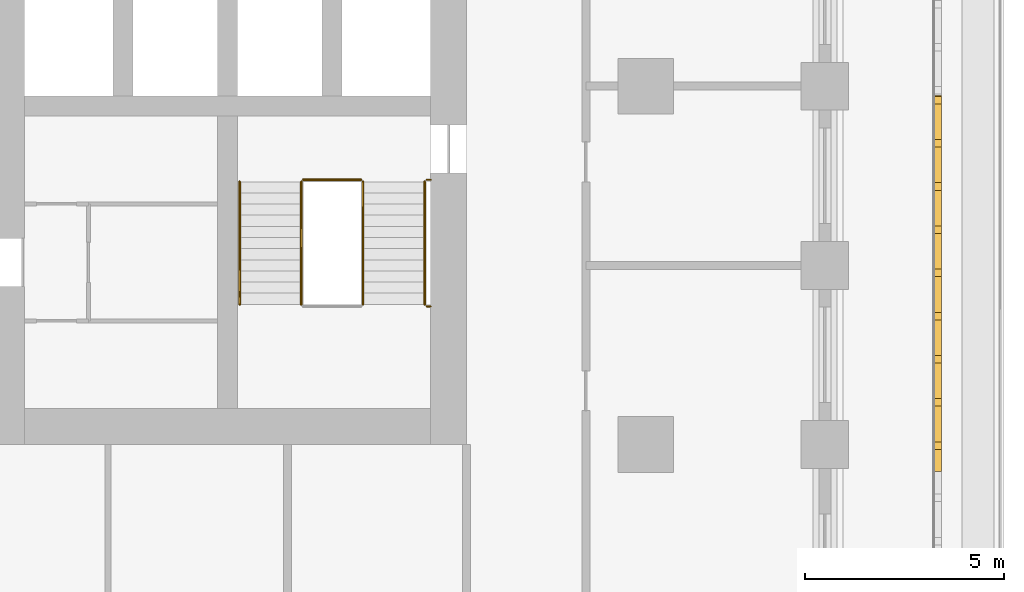
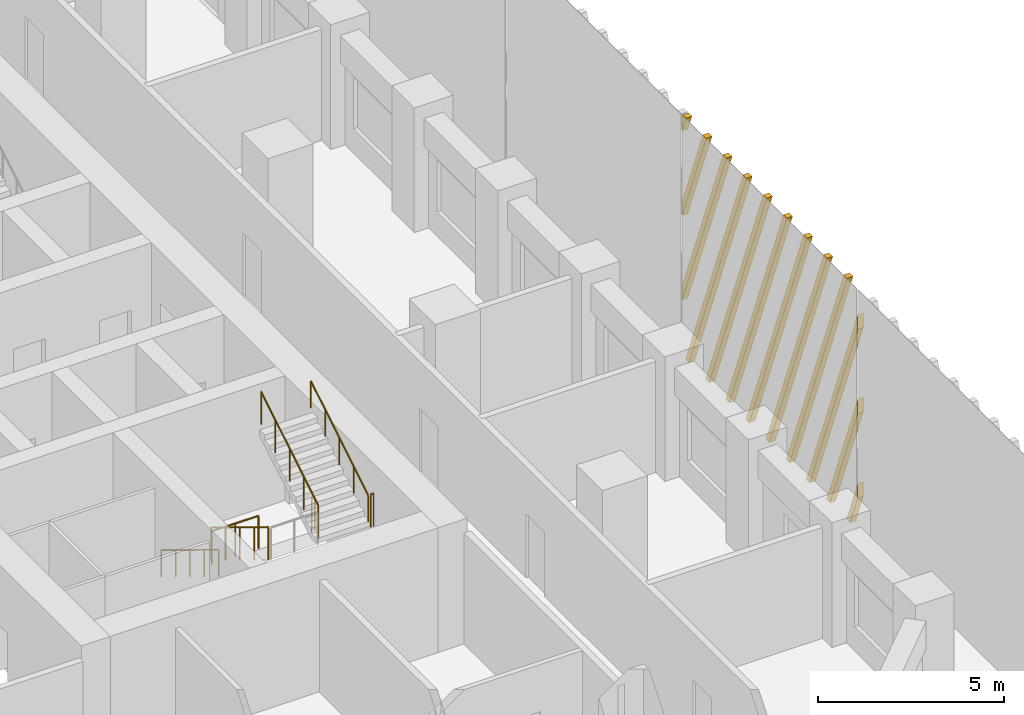
# One storey, part 13 of 19: 7 railings, 1 shading device.
"""IFC4 building model written with IfcOpenShell, lengths in metres."""

from ifc_helpers import new_model, si_unit, direction, frame, origin, origin_2d, place, context, subcontext, project, spatial, polyline, circle, outline, extrude, source, transform, mapped, material, type_object, element, save


model = new_model("IFC4")

# Units and contexts
model_context = context("Model", 3, precision=1e-05, world=origin(), true_north=direction((0.0, 1.0)))
body_context = subcontext(model_context, "Body", "Model", "MODEL_VIEW")
ifc_project = project(units=[si_unit("LENGTHUNIT", "METRE"), si_unit("AREAUNIT", "SQUARE_METRE"), si_unit("VOLUMEUNIT", "CUBIC_METRE"), si_unit("PLANEANGLEUNIT", "RADIAN"), si_unit("MASSUNIT", "GRAM", prefix="KILO")], contexts=[model_context])

# Site, building, storey
site_placement = place(None, origin())
site = spatial("IfcSite", under=ifc_project, at=site_placement, CompositionType="ELEMENT")
building_placement = place(site_placement, origin())
building = spatial("IfcBuilding", under=site, at=building_placement, Name="Corbel Stack Research Tower", CompositionType="ELEMENT")
storey_placement = place(building_placement, frame((0.0, 0.0, 116.699951171875)))
storey = spatial("IfcBuildingStorey", under=building, at=storey_placement, Name="L26", CompositionType="ELEMENT", Elevation=116.699951171875)

# Railings
ifc_material_1 = material(Name="Steel S355", Category="steel")
railing_type_1 = type_object("IfcRailingType", Name="Stair guard 1100", PredefinedType="GUARDRAIL", material=ifc_material_1)
railing_1_placement = place(storey_placement, frame((13.85009765625, -2.39990234375, 0.1708984375)))
element("IfcRailing", 1, at=railing_1_placement, inside=storey, type_object=railing_type_1, Name="L26 ST-E1 stair guard 1", PredefinedType="GUARDRAIL", context=body_context, shape_type="SweptSolid", body=[
    extrude(circle(Radius=0.02392578125, at=origin_2d()), frame((0.0, 0.0, 1.076171875), z_axis=(0.0, -0.853666305674, 0.52082035152), x_axis=(1.0, 0.0, 0.0)), (0.0, 0.0, 1.0), 3.608154296875),
    extrude(circle(Radius=0.02099609375, at=origin_2d()), origin(), (0.0, 0.0, 1.0), 1.052001953125),
    extrude(circle(Radius=0.02099609375, at=origin_2d()), frame((0.0, -0.77001953125, 0.4697265625)), (0.0, 0.0, 1.0), 1.052001953125),
    extrude(circle(Radius=0.02099609375, at=origin_2d()), frame((0.0, -1.5400390625, 0.939453125)), (0.0, 0.0, 1.0), 1.052001953125),
    extrude(circle(Radius=0.02099609375, at=origin_2d()), frame((0.0, -2.31005859375, 1.409423828125)), (0.0, 0.0, 1.0), 1.052001953125),
    extrude(circle(Radius=0.02099609375, at=origin_2d()), frame((0.0, -3.080078125, 1.879150390625)), (0.0, 0.0, 1.0), 1.052001953125),
])
railing_2_placement = place(storey_placement, frame((17.0, -5.530029296875, 2.050048828125)))
element("IfcRailing", 2, at=railing_2_placement, inside=storey, type_object=railing_type_1, Name="L26 ST-E1 stair guard 3", PredefinedType="GUARDRAIL", context=body_context, shape_type="SweptSolid", body=[
    extrude(circle(Radius=0.02392578125, at=origin_2d()), frame((0.0, 0.0, 1.076171875), z_axis=(1.0, 0.0, 0.0), x_axis=(0.0, 1.0, 0.0)), (0.0, 0.0, 1.0), 0.10009765625),
    extrude(circle(Radius=0.02099609375, at=origin_2d()), origin(), (0.0, 0.0, 1.0), 1.052001953125),
    extrude(circle(Radius=0.02099609375, at=origin_2d()), frame((0.10009765625, 0.0, 0.0)), (0.0, 0.0, 1.0), 1.052001953125),
])
railing_3_placement = place(storey_placement, frame((15.39990234375, -5.47998046875, 2.220947265625)))
element("IfcRailing", 3, at=railing_3_placement, inside=storey, type_object=railing_type_1, Name="L26 ST-E1 stair guard 4", PredefinedType="GUARDRAIL", context=body_context, shape_type="SweptSolid", body=[
    extrude(circle(Radius=0.02392578125, at=origin_2d()), frame((0.0, 0.0, 1.076171875), z_axis=(0.0, 0.853666305674, 0.52082035152), x_axis=(-1.0, 0.0, 0.0)), (0.0, 0.0, 1.0), 3.608154296875),
    extrude(circle(Radius=0.02099609375, at=origin_2d()), origin(), (0.0, 0.0, 1.0), 1.052001953125),
    extrude(circle(Radius=0.02099609375, at=origin_2d()), frame((0.0, 0.77001953125, 0.4697265625)), (0.0, 0.0, 1.0), 1.052001953125),
    extrude(circle(Radius=0.02099609375, at=origin_2d()), frame((0.0, 1.5400390625, 0.939453125)), (0.0, 0.0, 1.0), 1.052001953125),
    extrude(circle(Radius=0.02099609375, at=origin_2d()), frame((0.0, 2.31005859375, 1.409423828125)), (0.0, 0.0, 1.0), 1.052001953125),
    extrude(circle(Radius=0.02099609375, at=origin_2d()), frame((0.0, 3.080078125, 1.879150390625)), (0.0, 0.0, 1.0), 1.052001953125),
])
railing_4_placement = place(storey_placement, frame((13.89990234375, -2.35009765625, 0.0)))
element("IfcRailing", 4, at=railing_4_placement, inside=storey, type_object=railing_type_1, Name="L26 ST-E1 stair guard 5", PredefinedType="GUARDRAIL", context=body_context, shape_type="SweptSolid", body=[
    extrude(circle(Radius=0.02392578125, at=origin_2d()), frame((0.0, 0.0, 1.076171875), z_axis=(1.0, 0.0, 0.0), x_axis=(0.0, 1.0, 0.0)), (0.0, 0.0, 1.0), 1.4501953125),
    extrude(circle(Radius=0.02099609375, at=origin_2d()), origin(), (0.0, 0.0, 1.0), 1.052001953125),
    extrude(circle(Radius=0.02099609375, at=origin_2d()), frame((0.72509765625, 0.0, 0.0)), (0.0, 0.0, 1.0), 1.052001953125),
    extrude(circle(Radius=0.02099609375, at=origin_2d()), frame((1.4501953125, 0.0, 0.0)), (0.0, 0.0, 1.0), 1.052001953125),
])
railing_5_placement = place(storey_placement, frame((17.0, -2.35009765625, 0.0)))
element("IfcRailing", 5, at=railing_5_placement, inside=storey, type_object=railing_type_1, Name="L26 ST-E1 stair guard 6", PredefinedType="GUARDRAIL", context=body_context, shape_type="SweptSolid", body=[
    extrude(circle(Radius=0.02392578125, at=origin_2d()), frame((0.0, 0.0, 1.076171875), z_axis=(1.0, 0.0, 0.0), x_axis=(0.0, 1.0, 0.0)), (0.0, 0.0, 1.0), 0.10009765625),
    extrude(circle(Radius=0.02099609375, at=origin_2d()), origin(), (0.0, 0.0, 1.0), 1.052001953125),
    extrude(circle(Radius=0.02099609375, at=origin_2d()), frame((0.10009765625, 0.0, 0.0)), (0.0, 0.0, 1.0), 1.052001953125),
])
ifc_material_2 = material(Name="Steel S355", Category="steel")
railing_type_2 = type_object("IfcRailingType", Name="Stair handrail 900", PredefinedType="HANDRAIL", material=ifc_material_2)
railing_6_placement = place(storey_placement, frame((12.300048828125, -2.39990234375, 0.1708984375)))
element("IfcRailing", 6, at=railing_6_placement, inside=storey, type_object=railing_type_2, Name="L26 ST-E1 stair handrail 1", PredefinedType="HANDRAIL", context=body_context, shape_type="SweptSolid", body=[
    extrude(circle(Radius=0.02392578125, at=origin_2d()), frame((0.0, 0.0, 0.8759765625), z_axis=(0.0, -0.853666305674, 0.52082035152), x_axis=(1.0, 0.0, 0.0)), (0.0, 0.0, 1.0), 3.608154296875),
    extrude(circle(Radius=0.02099609375, at=origin_2d()), origin(), (0.0, 0.0, 1.0), 0.851806640625),
    extrude(circle(Radius=0.02099609375, at=origin_2d()), frame((0.0, -0.77001953125, 0.4697265625)), (0.0, 0.0, 1.0), 0.851806640625),
    extrude(circle(Radius=0.02099609375, at=origin_2d()), frame((0.0, -1.5400390625, 0.939453125)), (0.0, 0.0, 1.0), 0.851806640625),
    extrude(circle(Radius=0.02099609375, at=origin_2d()), frame((0.0, -2.31005859375, 1.409423828125)), (0.0, 0.0, 1.0), 0.851806640625),
    extrude(circle(Radius=0.02099609375, at=origin_2d()), frame((0.0, -3.080078125, 1.879150390625)), (0.0, 0.0, 1.0), 0.851806640625),
])
railing_7_placement = place(storey_placement, frame((16.949951171875, -5.47998046875, 2.220947265625)))
element("IfcRailing", 7, at=railing_7_placement, inside=storey, type_object=railing_type_2, Name="L26 ST-E1 stair handrail 2", PredefinedType="HANDRAIL", context=body_context, shape_type="SweptSolid", body=[
    extrude(circle(Radius=0.02392578125, at=origin_2d()), frame((0.0, 0.0, 0.8759765625), z_axis=(0.0, 0.853666305674, 0.52082035152), x_axis=(-1.0, 0.0, 0.0)), (0.0, 0.0, 1.0), 3.608154296875),
    extrude(circle(Radius=0.02099609375, at=origin_2d()), origin(), (0.0, 0.0, 1.0), 0.851806640625),
    extrude(circle(Radius=0.02099609375, at=origin_2d()), frame((0.0, 0.77001953125, 0.4697265625)), (0.0, 0.0, 1.0), 0.851806640625),
    extrude(circle(Radius=0.02099609375, at=origin_2d()), frame((0.0, 1.5400390625, 0.939453125)), (0.0, 0.0, 1.0), 0.851806640625),
    extrude(circle(Radius=0.02099609375, at=origin_2d()), frame((0.0, 2.31005859375, 1.409423828125)), (0.0, 0.0, 1.0), 0.851806640625),
    extrude(circle(Radius=0.02099609375, at=origin_2d()), frame((0.0, 3.080078125, 1.879150390625)), (0.0, 0.0, 1.0), 0.851806640625),
])

# Shading device
ifc_material_3 = material(Name="Precast terracotta", Category="masonry")
shading_device_type = type_object("IfcShadingDeviceType", Name="Terracotta screen panel", PredefinedType="USERDEFINED", material=ifc_material_3)
shared_shape = source(origin(), body_context, "Body", "SweptSolid", [
    extrude(outline(polyline([(0.60205078125, 0.0), (0.0, 1.541748046875), (0.0, 1.055419921875), (0.412109375, 0.0), (0.60205078125, 0.0)])), frame((0.0, 0.0, 0.0), z_axis=(0.0, -1.0, 0.0), x_axis=(1.0, 0.0, 0.0)), (0.0, 0.0, 1.0), 0.179931640625),
    extrude(outline(polyline([(1.686767578125, 0.0), (0.0, 4.319091796875), (0.0, 3.83251953125), (1.496826171875, 0.0), (1.686767578125, 0.0)])), frame((0.0, 0.0, 0.0), z_axis=(0.0, -1.0, 0.0), x_axis=(1.0, 0.0, 0.0)), (0.0, 0.0, 1.0), 0.179931640625),
    extrude(outline(polyline([(2.771484375, 0.0), (0.0, 7.096435546875), (0.0, 6.60986328125), (2.58154296875, 0.0), (2.771484375, 0.0)])), frame((0.0, 0.0, 0.0), z_axis=(0.0, -1.0, 0.0), x_axis=(1.0, 0.0, 0.0)), (0.0, 0.0, 1.0), 0.179931640625),
    extrude(outline(polyline([(3.856201171875, 0.0), (0.751220703125, 7.949951171875), (0.561279296875, 7.949951171875), (3.666015625, 0.0), (3.856201171875, 0.0)])), frame((0.0, 0.0, 0.0), z_axis=(0.0, -1.0, 0.0), x_axis=(1.0, 0.0, 0.0)), (0.0, 0.0, 1.0), 0.179931640625),
    extrude(outline(polyline([(4.94091796875, 0.0), (1.8359375, 7.949951171875), (1.64599609375, 7.949951171875), (4.750732421875, 0.0), (4.94091796875, 0.0)])), frame((0.0, 0.0, 0.0), z_axis=(0.0, -1.0, 0.0), x_axis=(1.0, 0.0, 0.0)), (0.0, 0.0, 1.0), 0.179931640625),
    extrude(outline(polyline([(6.025390625, 0.0), (2.920654296875, 7.949951171875), (2.730712890625, 7.949951171875), (5.83544921875, 0.0), (6.025390625, 0.0)])), frame((0.0, 0.0, 0.0), z_axis=(0.0, -1.0, 0.0), x_axis=(1.0, 0.0, 0.0)), (0.0, 0.0, 1.0), 0.179931640625),
    extrude(outline(polyline([(7.110107421875, 0.0), (4.00537109375, 7.949951171875), (3.815185546875, 7.949951171875), (6.920166015625, 0.0), (7.110107421875, 0.0)])), frame((0.0, 0.0, 0.0), z_axis=(0.0, -1.0, 0.0), x_axis=(1.0, 0.0, 0.0)), (0.0, 0.0, 1.0), 0.179931640625),
    extrude(outline(polyline([(8.19482421875, 0.0), (5.090087890625, 7.949951171875), (4.89990234375, 7.949951171875), (8.0048828125, 0.0), (8.19482421875, 0.0)])), frame((0.0, 0.0, 0.0), z_axis=(0.0, -1.0, 0.0), x_axis=(1.0, 0.0, 0.0)), (0.0, 0.0, 1.0), 0.179931640625),
    extrude(outline(polyline([(9.279541015625, 0.0), (6.174560546875, 7.949951171875), (5.984619140625, 7.949951171875), (9.089599609375, 0.0), (9.279541015625, 0.0)])), frame((0.0, 0.0, 0.0), z_axis=(0.0, -1.0, 0.0), x_axis=(1.0, 0.0, 0.0)), (0.0, 0.0, 1.0), 0.179931640625),
    extrude(outline(polyline([(7.25927734375, 7.949951171875), (7.0693359375, 7.949951171875), (9.45556640625, 1.839599609375), (9.45556640625, 2.326171875), (7.25927734375, 7.949951171875)])), frame((0.0, 0.0, 0.0), z_axis=(0.0, -1.0, 0.0), x_axis=(1.0, 0.0, 0.0)), (0.0, 0.0, 1.0), 0.179931640625),
    extrude(outline(polyline([(8.343994140625, 7.949951171875), (8.15380859375, 7.949951171875), (9.45556640625, 4.616943359375), (9.45556640625, 5.103515625), (8.343994140625, 7.949951171875)])), frame((0.0, 0.0, 0.0), z_axis=(0.0, -1.0, 0.0), x_axis=(1.0, 0.0, 0.0)), (0.0, 0.0, 1.0), 0.179931640625),
    extrude(outline(polyline([(9.4287109375, 7.949951171875), (9.238525390625, 7.949951171875), (9.45556640625, 7.394287109375), (9.45556640625, 7.880859375), (9.4287109375, 7.949951171875)])), frame((0.0, 0.0, 0.0), z_axis=(0.0, -1.0, 0.0), x_axis=(1.0, 0.0, 0.0)), (0.0, 0.0, 1.0), 0.179931640625),
])
shading_device_placement = place(storey_placement, frame((29.75, -9.68359375, 0.0), z_axis=(0.0, 0.0, 1.0), x_axis=(0.0, 1.0, 0.0)))
element("IfcShadingDevice", 8, at=shading_device_placement, inside=storey, type_object=shading_device_type, Name="Terracotta screen L26 E2", ObjectType="SCREEN", PredefinedType="USERDEFINED", context=body_context, shape_type="MappedRepresentation", body=[
    mapped(shared_shape, transform((0.0, 0.0, 0.0))),
])

save(model, "model.ifc")
